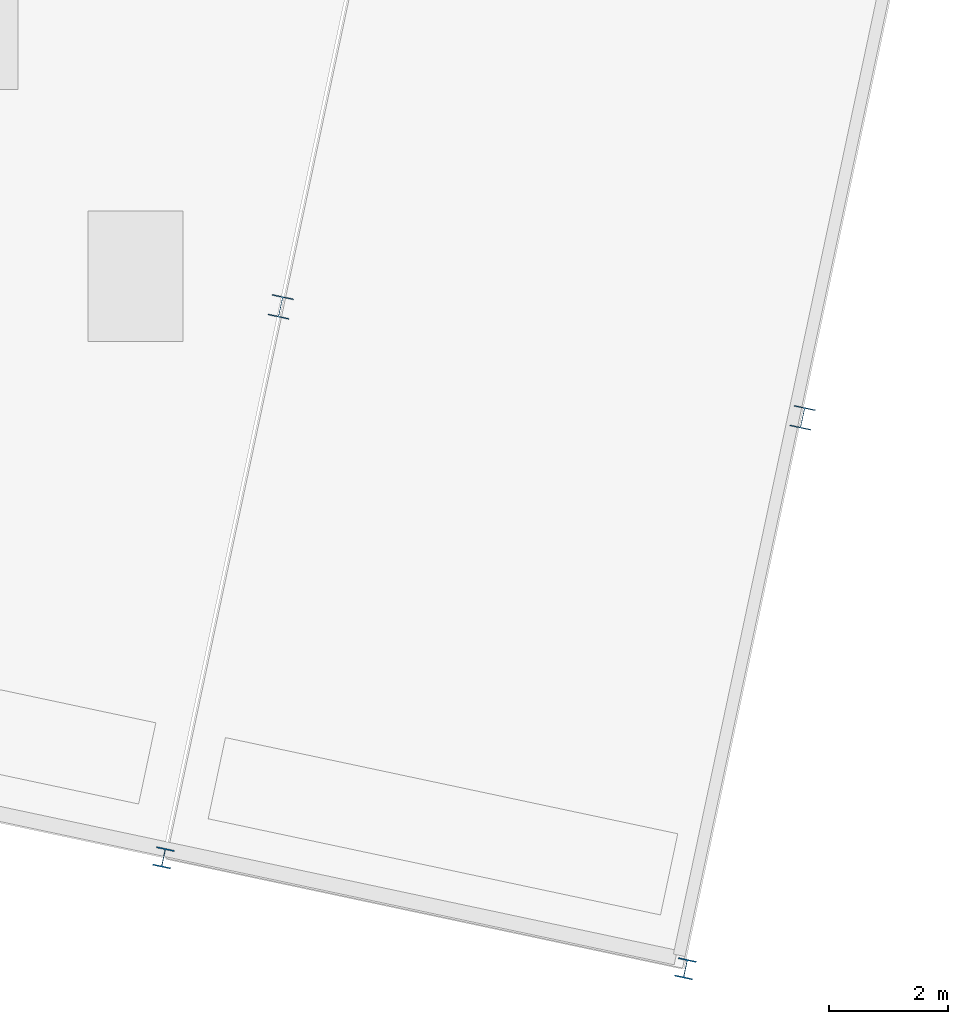
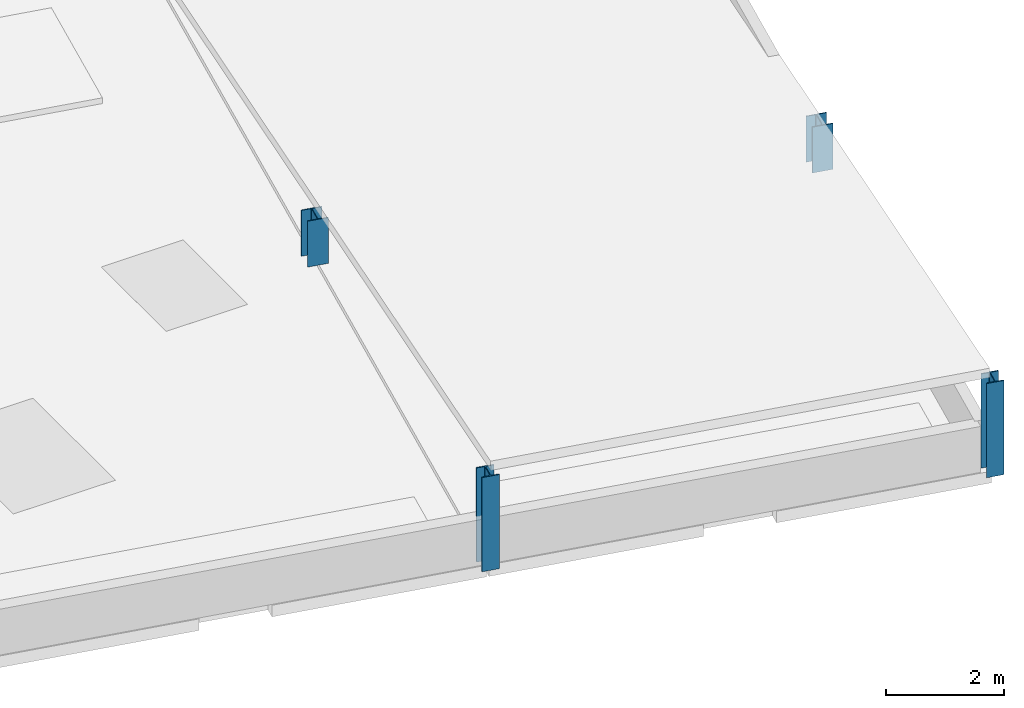
# One storey, part 15 of 102: 4 columns.
"""IFC4 building model written with IfcOpenShell, lengths in metres."""

import ifcopenshell
import ifcopenshell.guid

model = None  # the IFC model being written
_history = None  # IfcOwnerHistory: only IFC2X3 demands one
_inside = {}  # id of a spatial element -> (the spatial element, [elements in it])
_under = {}  # id of a project, library or spatial element -> (it, [spatial elements below it])
_declared = {}  # id of a project -> (the project, [libraries it declares])
_typed = {}  # id of a type object -> (the type object, [elements of that type])
_made_of = {}  # id of a material, layer set ... -> (it, [elements and type objects made of it])


def new_model(schema):
    """Start an empty IFC model of exactly this schema.

    Asked for "IFC4X3", IfcOpenShell would pick the latest addendum, in which some entities
    have other attributes; the version numbers below select the first issue.
    IFC2X3 requires an IfcOwnerHistory on every rooted entity: one is made here for all.
    """
    global model, _history
    if schema == "IFC4X3":
        model = ifcopenshell.file(schema_version=(4, 3, 0, 0))
    else:
        model = ifcopenshell.file(schema=schema)
    _inside.clear()
    _under.clear()
    _declared.clear()
    _typed.clear()
    _made_of.clear()
    _history = None
    if model.schema == "IFC2X3":
        org = make("IfcOrganization", Name="unknown")
        user = make(
            "IfcPersonAndOrganization",
            ThePerson=make("IfcPerson", FamilyName="unknown"),
            TheOrganization=org,
        )
        app = make(
            "IfcApplication",
            ApplicationDeveloper=org,
            Version="unknown",
            ApplicationFullName="unknown",
            ApplicationIdentifier="unknown",
        )
        _history = make(
            "IfcOwnerHistory",
            OwningUser=user,
            OwningApplication=app,
            ChangeAction="ADDED",
            CreationDate=0,
        )
    return model


def make(cls, **values):
    """One entity of the class cls with the attributes given. An attribute that is None is left unset."""
    return model.create_entity(
        cls, **{name: value for name, value in values.items() if value is not None}
    )


def rooted(cls, **values):
    """An entity with a GlobalId (a new one), such as an element, a storey or a relation."""
    return make(cls, GlobalId=ifcopenshell.guid.new(), OwnerHistory=_history, **values)


def si_unit(unit_type, name, prefix=None):
    """IfcSIUnit, for example si_unit("LENGTHUNIT", "METRE", prefix="MILLI")."""
    return make("IfcSIUnit", UnitType=unit_type, Prefix=prefix, Name=name)


def assignment(units):
    """IfcUnitAssignment: the units of a project."""
    return None if units is None else make("IfcUnitAssignment", Units=units)


def point(xyz):
    """IfcCartesianPoint."""
    return None if xyz is None else make("IfcCartesianPoint", Coordinates=xyz)


def direction(xyz):
    """IfcDirection."""
    return None if xyz is None else make("IfcDirection", DirectionRatios=xyz)


def frame(location, z_axis=None, x_axis=None):
    """IfcAxis2Placement3D, a coordinate frame: its origin and axes. An axis left out is left unset."""
    return make(
        "IfcAxis2Placement3D",
        Location=point(location),
        Axis=direction(z_axis),
        RefDirection=direction(x_axis),
    )


def frame_2d(location, x_axis=None):
    """IfcAxis2Placement2D, a coordinate frame in the plane: its origin and x axis."""
    return make(
        "IfcAxis2Placement2D", Location=point(location), RefDirection=direction(x_axis)
    )


def origin():
    """The frame at (0, 0, 0) with its axes left unset."""
    return frame((0.0, 0.0, 0.0))


def origin_2d():
    """The frame at (0, 0) in the plane with its x axis left unset."""
    return frame_2d((0.0, 0.0))


def place(relative_to, where):
    """IfcLocalPlacement: puts the frame where relative to a parent placement (None: the world)."""
    return make(
        "IfcLocalPlacement", PlacementRelTo=relative_to, RelativePlacement=where
    )


def context(
    kind, dimensions, precision=None, world=None, true_north=None, identifier=None
):
    """IfcGeometricRepresentationContext, for example the 3D "Model" context."""
    return make(
        "IfcGeometricRepresentationContext",
        ContextIdentifier=identifier,
        ContextType=kind,
        CoordinateSpaceDimension=dimensions,
        Precision=precision,
        WorldCoordinateSystem=world,
        TrueNorth=true_north,
    )


def subcontext(parent, identifier, kind, view, scale=None):
    """IfcGeometricRepresentationSubContext, for example "Body" below "Model"."""
    return make(
        "IfcGeometricRepresentationSubContext",
        ContextIdentifier=identifier,
        ContextType=kind,
        ParentContext=parent,
        TargetScale=scale,
        TargetView=view,
    )


def project(units=None, contexts=None):
    """IfcProject with its units and contexts."""
    return rooted(
        "IfcProject",
        Name="project",
        RepresentationContexts=contexts,
        UnitsInContext=assignment(units),
    )


def spatial(cls, under=None, at=None, **own):
    """A site, building, storey or space (cls), placed at a placement, below another one or the project."""
    s = rooted(cls, ObjectPlacement=at, **own)
    if under is not None:
        _under.setdefault(under.id(), (under, []))[1].append(s)
    return s


def profile(cls, at=None, kind="AREA", **sizes):
    """A parametric profile (cls). Its sizes go by their IFC names, for example OverallWidth=200.0."""
    return make(cls, ProfileType=kind, Position=at, **sizes)


def i_section(**sizes):
    """IfcIShapeProfileDef."""
    return profile("IfcIShapeProfileDef", **sizes)


def extrude(swept, where, along, depth):
    """IfcExtrudedAreaSolid: the profile swept, set in the frame where, extruded along a direction by depth."""
    return make(
        "IfcExtrudedAreaSolid",
        SweptArea=swept,
        Position=where,
        ExtrudedDirection=direction(along),
        Depth=depth,
    )


def shape(context_of_items, identifier, shape_type, items):
    """IfcShapeRepresentation: the items that make up one representation, for example the "Body"."""
    return make(
        "IfcShapeRepresentation",
        ContextOfItems=context_of_items,
        RepresentationIdentifier=identifier,
        RepresentationType=shape_type,
        Items=items,
    )


def material(Name=None, Category=None):
    """IfcMaterial."""
    return make("IfcMaterial", Name=Name, Category=Category)


def material_profile(
    of_material, cross_section, Name=None, Category=None, Priority=None
):
    """IfcMaterialProfile: a cross section and its material."""
    return make(
        "IfcMaterialProfile",
        Name=Name,
        Material=of_material,
        Profile=cross_section,
        Priority=Priority,
        Category=Category,
    )


def profile_set(profiles, Name=None, composite=None):
    """IfcMaterialProfileSet."""
    return make(
        "IfcMaterialProfileSet",
        Name=Name,
        MaterialProfiles=profiles,
        CompositeProfile=composite,
    )


def made_of(thing, what):
    """Note that an element or type object is made of a material, layer set ...; save() writes the relation."""
    if what is not None:
        _made_of.setdefault(what.id(), (what, []))[1].append(thing)
    return thing


def type_object(cls, material=None, **own):
    """A type object (cls), such as IfcWallType, which elements share."""
    return made_of(rooted(cls, **own), material)


def element(
    cls,
    number,
    at=None,
    inside=None,
    cuts=None,
    type_object=None,
    material=None,
    context=None,
    identifier="Body",
    shape_type=None,
    held_by="IfcProductDefinitionShape",
    body=None,
    shapes=None,
    **own,
):
    """One element of the class cls, such as IfcWall. Its Tag is "e" and its number.

    at: its placement. inside: the storey or other place that contains it. cuts: it is an
    opening in that element (IfcRelVoidsElement). A single representation is given by context,
    identifier, shape_type and body (its items); several are given by shapes. held_by: the class
    of the entity that holds the representations. save() writes the other relations.
    """
    e = rooted(cls, Tag="e%d" % number, ObjectPlacement=at, **own)
    if body is not None:
        shapes = [shape(context, identifier, shape_type, body)]
    if shapes is not None:
        e.Representation = make(held_by, Representations=shapes)
    if inside is not None:
        _inside.setdefault(inside.id(), (inside, []))[1].append(e)
    if cuts is not None:
        rooted(
            "IfcRelVoidsElement", RelatingBuildingElement=cuts, RelatedOpeningElement=e
        )
    if type_object is not None:
        _typed.setdefault(type_object.id(), (type_object, []))[1].append(e)
    return made_of(e, material)


def aggregate(whole, parts):
    """IfcRelAggregates: a whole, such as a stair, and the parts it consists of."""
    return rooted("IfcRelAggregates", RelatingObject=whole, RelatedObjects=parts)


def save(model, path):
    """Write the relations noted so far, then the file.

    IfcRelAggregates (storeys below a building ...), IfcRelContainedInSpatialStructure (elements
    in a storey), IfcRelDefinesByType, IfcRelAssociatesMaterial and IfcRelDeclares: one each for
    every whole, place, type object, material and project.
    """
    for whole, parts in _under.values():
        aggregate(whole, parts)
    for where, things in _inside.values():
        rooted(
            "IfcRelContainedInSpatialStructure",
            RelatedElements=things,
            RelatingStructure=where,
        )
    for kind, things in _typed.values():
        rooted("IfcRelDefinesByType", RelatedObjects=things, RelatingType=kind)
    for what, things in _made_of.values():
        rooted("IfcRelAssociatesMaterial", RelatedObjects=things, RelatingMaterial=what)
    for by, libraries in _declared.values():
        rooted("IfcRelDeclares", RelatingContext=by, RelatedDefinitions=libraries)
    model.write(path)


model = new_model("IFC4")

# Units and contexts
model_context = context("Model", 3, precision=1e-05, world=origin(), true_north=direction((0.0, 1.0)))
body_context = subcontext(model_context, "Body", "Model", "MODEL_VIEW")
ifc_project = project(units=[si_unit("LENGTHUNIT", "METRE"), si_unit("AREAUNIT", "SQUARE_METRE"), si_unit("VOLUMEUNIT", "CUBIC_METRE"), si_unit("PLANEANGLEUNIT", "RADIAN"), si_unit("MASSUNIT", "GRAM", prefix="KILO")], contexts=[model_context])

# Site, building, storey
site_placement = place(None, origin())
site = spatial("IfcSite", under=ifc_project, at=site_placement, CompositionType="ELEMENT")
building_placement = place(site_placement, origin())
building = spatial("IfcBuilding", under=site, at=building_placement, Name="Vireo Bluff Cable Station", CompositionType="ELEMENT")
storey_placement = place(building_placement, frame((0.0, 0.0, 9.60009765625)))
storey = spatial("IfcBuildingStorey", under=building, at=storey_placement, Name="L02", CompositionType="ELEMENT", Elevation=9.60009765625)

# Columns
ifc_material = material(Name="Steel ASTM A992 Gr. 50", Category="steel")
ifc_material_profile_1 = material_profile(ifc_material, i_section(OverallWidth=0.367919921875, OverallDepth=0.35595703125, WebThickness=0.01123046875, FlangeThickness=0.01806640625, FilletRadius=0.014892578125, at=origin_2d()), Name="W14X90")
ifc_profile_set_1 = profile_set([ifc_material_profile_1], Name="Steel ASTM A992 Gr. 50")
column_type_1 = type_object("IfcColumnType", Name="COL-W14X90", PredefinedType="COLUMN", material=ifc_profile_set_1)
for number, where, z_axis, x_axis, name in (
    (1, (149.581787109375, 15.550048828125, 0.0), (0.0, 0.0, 1.0), (0.978147600734, -0.207911690818, 0.0), "V5E prow interior post 18"),
    (2, (158.38525390625, 13.6787109375, 0.0), (0.0, 0.0, 1.0), (0.978147600734, -0.207911690818, 0.0), "V5E prow interior post 27"),
):
    element("IfcColumn", number, at=place(storey_placement, frame(where, z_axis=z_axis, x_axis=x_axis)), inside=storey, type_object=column_type_1, Name=name, PredefinedType="COLUMN", context=body_context, shape_type="SweptSolid", body=[
        extrude(i_section(OverallWidth=0.367919921875, OverallDepth=0.35595703125, WebThickness=0.01123046875, FlangeThickness=0.01806640625, FilletRadius=0.014892578125, at=origin_2d()), origin(), (0.0, 0.0, 1.0), 0.949951171875),
    ])
ifc_material_profile_2 = material_profile(ifc_material, i_section(OverallWidth=0.30908203125, OverallDepth=0.322998046875, WebThickness=0.013916015625, FlangeThickness=0.02294921875, FilletRadius=0.012939453125, at=origin_2d()), Name="W12X96")
ifc_profile_set_2 = profile_set([ifc_material_profile_2], Name="Steel ASTM A992 Gr. 50")
column_type_2 = type_object("IfcColumnType", Name="ECOL-W12X96", PredefinedType="COLUMN", material=ifc_profile_set_2)
for number, where, z_axis, x_axis, name in (
    (3, (147.606689453125, 6.257568359375, 0.0), (0.0, 0.0, 1.0), (0.978147600734, -0.207911690818, 0.0), "V5E prow clerestory post 18"),
    (4, (156.409912109375, 4.386474609375, 0.0), (0.0, 0.0, 1.0), (0.978147600734, -0.207911690818, 0.0), "V5E prow clerestory post 27"),
):
    element("IfcColumn", number, at=place(storey_placement, frame(where, z_axis=z_axis, x_axis=x_axis)), inside=storey, type_object=column_type_2, Name=name, PredefinedType="COLUMN", context=body_context, shape_type="SweptSolid", body=[
        extrude(i_section(OverallWidth=0.30908203125, OverallDepth=0.322998046875, WebThickness=0.013916015625, FlangeThickness=0.02294921875, FilletRadius=0.012939453125, at=origin_2d()), origin(), (0.0, 0.0, 1.0), 1.949951171875),
    ])

save(model, "model.ifc")
